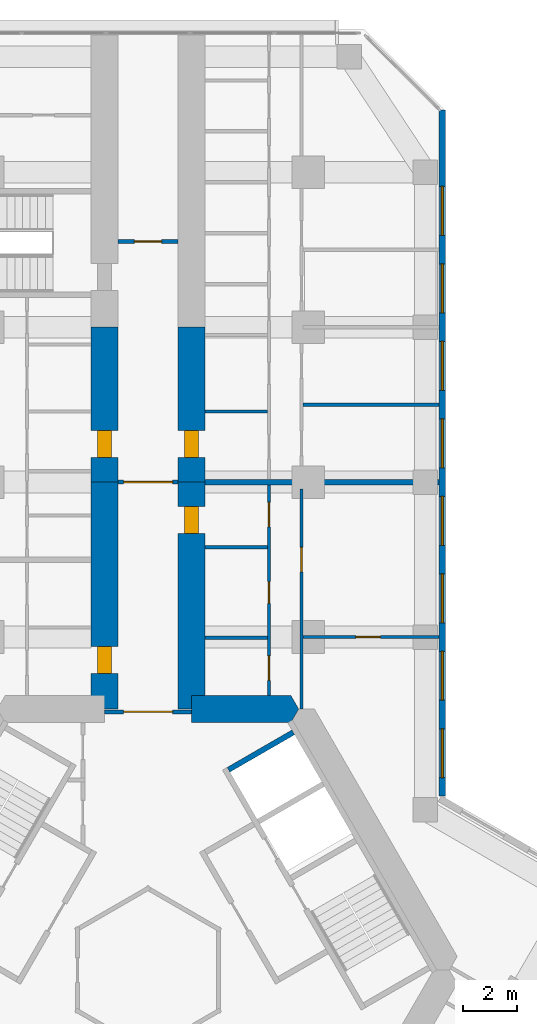
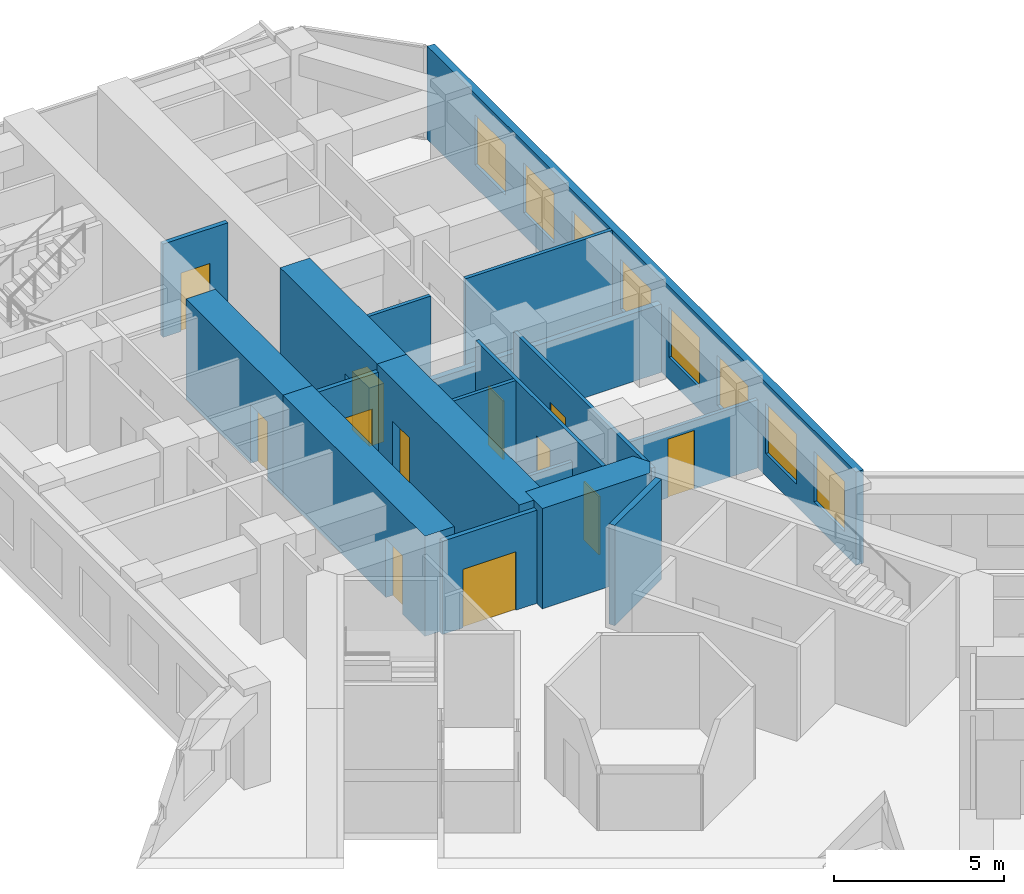
# One storey, part 18 of 21: 18 walls, 12 doors, 8 windows, 20 openings.
"""IFC4 building model written with IfcOpenShell, lengths in metres."""

from ifc_helpers import new_model, si_unit, direction, frame, frame_2d, origin, place, context, subcontext, project, spatial, polyline, rectangle, outline, extrude, material, layer, layer_set, type_object, element, fill, save


model = new_model("IFC4")

# Units and contexts
model_context = context("Model", 3, precision=1e-05, world=origin(), true_north=direction((0.0, 1.0)))
body_context = subcontext(model_context, "Body", "Model", "MODEL_VIEW")
ifc_project = project(units=[si_unit("LENGTHUNIT", "METRE"), si_unit("AREAUNIT", "SQUARE_METRE"), si_unit("VOLUMEUNIT", "CUBIC_METRE"), si_unit("PLANEANGLEUNIT", "RADIAN"), si_unit("MASSUNIT", "GRAM", prefix="KILO")], contexts=[model_context])

# Site, building, storey
site_placement = place(None, origin())
site = spatial("IfcSite", under=ifc_project, at=site_placement, CompositionType="ELEMENT")
building_placement = place(site_placement, origin())
building = spatial("IfcBuilding", under=site, at=building_placement, Name="Kosmar Iwan School Tower", CompositionType="ELEMENT")
storey_placement = place(building_placement, frame((0.0, 0.0, 102.39990234375)))
storey = spatial("IfcBuildingStorey", under=building, at=storey_placement, Name="L25", CompositionType="ELEMENT", Elevation=102.39990234375)

# Wall
ifc_material_1 = material(Name="Concrete C50/60", Category="concrete")
ifc_layer_1 = layer(ifc_material_1, 1.0)
ifc_layer_set_1 = layer_set([ifc_layer_1], Name="Core wall 1000")
wall_type_1 = type_object("IfcWallType", Name="Core wall 1000", PredefinedType="SHEAR", material=ifc_layer_set_1)
wall_1_placement = place(storey_placement, origin())
element("IfcWall", 1, at=wall_1_placement, inside=storey, type_object=wall_type_1, Name="Core wall F090a", PredefinedType="SHEAR", context=body_context, shape_type="SweptSolid", body=[
    extrude(outline(polyline([(1.60009765625, 9.10009765625), (5.25390625, 9.10009765625), (5.54248046875, 9.60009765625), (5.25390625, 10.10009765625), (1.60009765625, 10.10009765625), (1.60009765625, 9.10009765625)])), origin(), (0.0, 0.0, 1.0), 3.60009765625),
])

# Wall, opening, door
ifc_material_2 = material(Name="Concrete C50/60", Category="concrete")
ifc_layer_2 = layer(ifc_material_2, 1.0)
ifc_layer_set_2 = layer_set([ifc_layer_2], Name="Corridor buttress wall 1000")
wall_type_2 = type_object("IfcWallType", Name="Corridor buttress wall 1000", PredefinedType="SHEAR", material=ifc_layer_set_2)
wall_2_placement = place(storey_placement, frame((-1.60009765625, 9.60009765625, 0.0), z_axis=(0.0, 0.0, 1.0), x_axis=(0.0, 1.0, 0.0)))
wall_2 = element("IfcWall", 2, at=wall_2_placement, inside=storey, type_object=wall_type_2, Name="Corridor wall AL", PredefinedType="SHEAR", context=body_context, shape_type="SweptSolid", body=[
    extrude(rectangle(XDim=8.349853515625, YDim=1.0, at=frame_2d((4.1748046875, 0.0))), origin(), (0.0, 0.0, 1.0), 3.60009765625),
])
opening_1_placement = place(wall_2_placement, frame((1.300048828125, 0.0, 0.0)))
opening_1 = element("IfcOpeningElement", 3, at=opening_1_placement, cuts=wall_2, Name="Opening D1", PredefinedType="OPENING", context=body_context, shape_type="SweptSolid", body=[
    extrude(rectangle(XDim=1.0, YDim=2.10009765625, at=frame_2d((0.5, 1.050048828125))), frame((0.0, 0.511962890625, 0.0), z_axis=(0.0, -1.0, 0.0), x_axis=(1.0, 0.0, 0.0)), (0.0, 0.0, 1.0), 1.02392578125),
])
ifc_material_3 = material(Name="Timber fire door in steel frame", Category="steel")
door_type_1 = type_object("IfcDoorType", Name="Flat entrance door 1000x2100", OperationType="SINGLE_SWING_LEFT", PredefinedType="DOOR", material=ifc_material_3)
door_1_placement = place(opening_1_placement, origin())
door_1 = element("IfcDoor", 4, at=door_1_placement, inside=storey, type_object=door_type_1, Name="Flat L25-AL1 entrance door", OperationType="SINGLE_SWING_RIGHT", OverallHeight=2.10009765625, OverallWidth=1.0, PredefinedType="DOOR", context=body_context, shape_type="SweptSolid", body=[
    extrude(rectangle(XDim=1.0, YDim=2.10009765625, at=frame_2d((0.5, 1.050048828125))), frame((0.0, 0.25, 0.0), z_axis=(0.0, -1.0, 0.0), x_axis=(1.0, 0.0, 0.0)), (0.0, 0.0, 1.0), 0.5),
])
fill(opening_1, door_1)

wall_3_placement = place(storey_placement, frame((-1.60009765625, 17.949951171875, 0.0), z_axis=(0.0, 0.0, 1.0), x_axis=(0.0, 1.0, 0.0)))
wall_3 = element("IfcWall", 5, at=wall_3_placement, inside=storey, type_object=wall_type_2, Name="Corridor wall AL bay 2", PredefinedType="SHEAR", context=body_context, shape_type="SweptSolid", body=[
    extrude(rectangle(XDim=5.699951171875, YDim=1.0, at=frame_2d((2.85009765625, 0.0))), origin(), (0.0, 0.0, 1.0), 3.60009765625),
])
opening_2_placement = place(wall_3_placement, frame((0.89990234375, 0.0, 0.0)))
opening_2 = element("IfcOpeningElement", 6, at=opening_2_placement, cuts=wall_3, Name="Opening D1", PredefinedType="OPENING", context=body_context, shape_type="SweptSolid", body=[
    extrude(rectangle(XDim=1.0, YDim=2.10009765625, at=frame_2d((0.5, 1.050048828125))), frame((0.0, 0.511962890625, 0.0), z_axis=(0.0, -1.0, 0.0), x_axis=(1.0, 0.0, 0.0)), (0.0, 0.0, 1.0), 1.02392578125),
])
door_2_placement = place(opening_2_placement, origin())
door_2 = element("IfcDoor", 7, at=door_2_placement, inside=storey, type_object=door_type_1, Name="Flat L25-AL2 entrance door", OperationType="SINGLE_SWING_LEFT", OverallHeight=2.10009765625, OverallWidth=1.0, PredefinedType="DOOR", context=body_context, shape_type="SweptSolid", body=[
    extrude(rectangle(XDim=1.0, YDim=2.10009765625, at=frame_2d((0.5, 1.050048828125))), frame((0.0, 0.25, 0.0), z_axis=(0.0, -1.0, 0.0), x_axis=(1.0, 0.0, 0.0)), (0.0, 0.0, 1.0), 0.5),
])
fill(opening_2, door_2)

wall_4_placement = place(storey_placement, frame((1.60009765625, 9.60009765625, 0.0), z_axis=(0.0, 0.0, 1.0), x_axis=(0.0, 1.0, 0.0)))
wall_4 = element("IfcWall", 8, at=wall_4_placement, inside=storey, type_object=wall_type_2, Name="Corridor wall AR", PredefinedType="SHEAR", context=body_context, shape_type="SweptSolid", body=[
    extrude(rectangle(XDim=8.349853515625, YDim=1.0, at=frame_2d((4.1748046875, 0.0))), origin(), (0.0, 0.0, 1.0), 3.60009765625),
])
opening_3_placement = place(wall_4_placement, frame((6.449951171875, 0.0, 0.0)))
opening_3 = element("IfcOpeningElement", 9, at=opening_3_placement, cuts=wall_4, Name="Opening D1", PredefinedType="OPENING", context=body_context, shape_type="SweptSolid", body=[
    extrude(rectangle(XDim=1.0, YDim=2.10009765625, at=frame_2d((0.5, 1.050048828125))), frame((0.0, 0.511962890625, 0.0), z_axis=(0.0, -1.0, 0.0), x_axis=(1.0, 0.0, 0.0)), (0.0, 0.0, 1.0), 1.02392578125),
])
door_3_placement = place(opening_3_placement, origin())
door_3 = element("IfcDoor", 10, at=door_3_placement, inside=storey, type_object=door_type_1, Name="Flat L25-AR1 entrance door", OperationType="SINGLE_SWING_RIGHT", OverallHeight=2.10009765625, OverallWidth=1.0, PredefinedType="DOOR", context=body_context, shape_type="SweptSolid", body=[
    extrude(rectangle(XDim=1.0, YDim=2.10009765625, at=frame_2d((0.5, 1.050048828125))), frame((0.0, 0.25, 0.0), z_axis=(0.0, -1.0, 0.0), x_axis=(1.0, 0.0, 0.0)), (0.0, 0.0, 1.0), 0.5),
])
fill(opening_3, door_3)

wall_5_placement = place(storey_placement, frame((1.60009765625, 17.949951171875, 0.0), z_axis=(0.0, 0.0, 1.0), x_axis=(0.0, 1.0, 0.0)))
wall_5 = element("IfcWall", 11, at=wall_5_placement, inside=storey, type_object=wall_type_2, Name="Corridor wall AR bay 2", PredefinedType="SHEAR", context=body_context, shape_type="SweptSolid", body=[
    extrude(rectangle(XDim=5.699951171875, YDim=1.0, at=frame_2d((2.85009765625, 0.0))), origin(), (0.0, 0.0, 1.0), 3.60009765625),
])
opening_4_placement = place(wall_5_placement, frame((0.89990234375, 0.0, 0.0)))
opening_4 = element("IfcOpeningElement", 12, at=opening_4_placement, cuts=wall_5, Name="Opening D1", PredefinedType="OPENING", context=body_context, shape_type="SweptSolid", body=[
    extrude(rectangle(XDim=1.0, YDim=2.10009765625, at=frame_2d((0.5, 1.050048828125))), frame((0.0, 0.511962890625, 0.0), z_axis=(0.0, -1.0, 0.0), x_axis=(1.0, 0.0, 0.0)), (0.0, 0.0, 1.0), 1.02392578125),
])
door_4_placement = place(opening_4_placement, origin())
door_4 = element("IfcDoor", 13, at=door_4_placement, inside=storey, type_object=door_type_1, Name="Flat L25-AR2 entrance door", OperationType="SINGLE_SWING_LEFT", OverallHeight=2.10009765625, OverallWidth=1.0, PredefinedType="DOOR", context=body_context, shape_type="SweptSolid", body=[
    extrude(rectangle(XDim=1.0, YDim=2.10009765625, at=frame_2d((0.5, 1.050048828125))), frame((0.0, 0.25, 0.0), z_axis=(0.0, -1.0, 0.0), x_axis=(1.0, 0.0, 0.0)), (0.0, 0.0, 1.0), 0.5),
])
fill(opening_4, door_4)

ifc_material_4 = material(Name="Gypsum board on steel studs, fire-rated", Category="steel")
ifc_layer_3 = layer(ifc_material_4, 0.14990234375)
ifc_layer_set_3 = layer_set([ifc_layer_3], Name="Corridor end wall 150")
wall_type_3 = type_object("IfcWallType", Name="Corridor end wall 150", PredefinedType="PARTITIONING", material=ifc_layer_set_3)
wall_6_placement = place(storey_placement, frame((1.10009765625, 26.800048828125, 0.0), z_axis=(0.0, 0.0, 1.0), x_axis=(-1.0, 0.0, 0.0)))
wall_6 = element("IfcWall", 14, at=wall_6_placement, inside=storey, type_object=wall_type_3, Name="Partition L25-A-CE", PredefinedType="PARTITIONING", context=body_context, shape_type="SweptSolid", body=[
    extrude(rectangle(XDim=2.2001953125, YDim=0.14990234375, at=frame_2d((1.10009765625, 0.0))), origin(), (0.0, 0.0, 1.0), 3.35009765625),
])
opening_5_placement = place(wall_6_placement, frame((0.60009765625, 0.0, 0.0)))
opening_5 = element("IfcOpeningElement", 15, at=opening_5_placement, cuts=wall_6, Name="Opening D13", PredefinedType="OPENING", context=body_context, shape_type="SweptSolid", body=[
    extrude(rectangle(XDim=1.0, YDim=2.10009765625, at=frame_2d((0.5, 1.050048828125))), frame((0.0, 0.0869140625, 0.0), z_axis=(0.0, -1.0, 0.0), x_axis=(1.0, 0.0, 0.0)), (0.0, 0.0, 1.0), 0.173828125),
])
ifc_material_5 = material(Name="Timber fire door with vision panel", Category="wood")
door_type_2 = type_object("IfcDoorType", Name="Corridor end door 1000x2100", OperationType="SINGLE_SWING_LEFT", PredefinedType="DOOR", material=ifc_material_5)
door_5_placement = place(opening_5_placement, origin())
door_5 = element("IfcDoor", 16, at=door_5_placement, inside=storey, type_object=door_type_2, Name="Laundry and drying room door L25-A", OperationType="SINGLE_SWING_RIGHT", OverallHeight=2.10009765625, OverallWidth=1.0, PredefinedType="DOOR", context=body_context, shape_type="SweptSolid", body=[
    extrude(rectangle(XDim=1.0, YDim=2.10009765625, at=frame_2d((0.5, 1.050048828125))), frame((0.0, 0.02490234375, 0.0), z_axis=(0.0, -1.0, 0.0), x_axis=(1.0, 0.0, 0.0)), (0.0, 0.0, 1.0), 0.050048828125),
])
fill(opening_5, door_5)

wall_7_placement = place(storey_placement, frame((1.10009765625, 17.949951171875, 0.0), z_axis=(0.0, 0.0, 1.0), x_axis=(-1.0, 0.0, 0.0)))
wall_7 = element("IfcWall", 17, at=wall_7_placement, inside=storey, type_object=wall_type_3, Name="Partition L25-A-HW", PredefinedType="PARTITIONING", context=body_context, shape_type="SweptSolid", body=[
    extrude(rectangle(XDim=2.2001953125, YDim=0.14990234375, at=frame_2d((1.10009765625, 0.0))), origin(), (0.0, 0.0, 1.0), 3.35009765625),
])
opening_6_placement = place(wall_7_placement, frame((0.199951171875, 0.0, 0.0)))
opening_6 = element("IfcOpeningElement", 18, at=opening_6_placement, cuts=wall_7, Name="Opening D9", PredefinedType="OPENING", context=body_context, shape_type="SweptSolid", body=[
    extrude(rectangle(XDim=1.800048828125, YDim=2.10009765625, at=frame_2d((0.89990234375, 1.050048828125))), frame((0.0, 0.0869140625, 0.0), z_axis=(0.0, -1.0, 0.0), x_axis=(1.0, 0.0, 0.0)), (0.0, 0.0, 1.0), 0.173828125),
])
ifc_material_6 = material(Name="Steel framed glazed smoke door", Category="steel")
door_type_3 = type_object("IfcDoorType", Name="Corridor smoke door pair 1800x2100", OperationType="DOUBLE_DOOR_DOUBLE_SWING", PredefinedType="DOOR", material=ifc_material_6)
door_6_placement = place(opening_6_placement, origin())
door_6 = element("IfcDoor", 19, at=door_6_placement, inside=storey, type_object=door_type_3, Name="Entrance vestibule smoke doors L25-A", OperationType="DOUBLE_DOOR_DOUBLE_SWING", OverallHeight=2.10009765625, OverallWidth=1.800048828125, PredefinedType="DOOR", context=body_context, shape_type="SweptSolid", body=[
    extrude(rectangle(XDim=1.800048828125, YDim=2.10009765625, at=frame_2d((0.89990234375, 1.050048828125))), frame((0.0, 0.02490234375, 0.0), z_axis=(0.0, -1.0, 0.0), x_axis=(1.0, 0.0, 0.0)), (0.0, 0.0, 1.0), 0.050048828125),
])
fill(opening_6, door_6)

ifc_material_7 = material(Name="Steel framed glazed screen", Category="steel")
ifc_layer_4 = layer(ifc_material_7, 0.14990234375)
ifc_layer_set_4 = layer_set([ifc_layer_4], Name="Corridor screen wall 150")
wall_type_4 = type_object("IfcWallType", Name="Corridor screen wall 150", PredefinedType="PARTITIONING", material=ifc_layer_set_4)
wall_8_placement = place(storey_placement, frame((1.60009765625, 9.5, 0.0), z_axis=(0.0, 0.0, 1.0), x_axis=(-1.0, 0.0, 0.0)))
wall_8 = element("IfcWall", 20, at=wall_8_placement, inside=storey, type_object=wall_type_4, Name="Corridor screen A L25", PredefinedType="PARTITIONING", context=body_context, shape_type="SweptSolid", body=[
    extrude(rectangle(XDim=3.2001953125, YDim=0.14990234375, at=frame_2d((1.60009765625, 0.0))), origin(), (0.0, 0.0, 1.0), 3.35009765625),
])
opening_7_placement = place(wall_8_placement, frame((0.699951171875, 0.0, 0.0)))
opening_7 = element("IfcOpeningElement", 21, at=opening_7_placement, cuts=wall_8, Name="Opening D9", PredefinedType="OPENING", context=body_context, shape_type="SweptSolid", body=[
    extrude(rectangle(XDim=1.800048828125, YDim=2.10009765625, at=frame_2d((0.89990234375, 1.050048828125))), frame((0.0, 0.0869140625, 0.0), z_axis=(0.0, -1.0, 0.0), x_axis=(1.0, 0.0, 0.0)), (0.0, 0.0, 1.0), 0.173828125),
])
door_7_placement = place(opening_7_placement, origin())
door_7 = element("IfcDoor", 22, at=door_7_placement, inside=storey, type_object=door_type_3, Name="Corridor doors A L25", OperationType="DOUBLE_DOOR_DOUBLE_SWING", OverallHeight=2.10009765625, OverallWidth=1.800048828125, PredefinedType="DOOR", context=body_context, shape_type="SweptSolid", body=[
    extrude(rectangle(XDim=1.800048828125, YDim=2.10009765625, at=frame_2d((0.89990234375, 1.050048828125))), frame((0.0, 0.02490234375, 0.0), z_axis=(0.0, -1.0, 0.0), x_axis=(1.0, 0.0, 0.0)), (0.0, 0.0, 1.0), 0.050048828125),
])
fill(opening_7, door_7)

# Wall, openings, doors
ifc_material_8 = material(Name="Gypsum board on steel studs", Category="steel")
ifc_layer_5 = layer(ifc_material_8, 0.1201171875)
ifc_layer_set_5 = layer_set([ifc_layer_5], Name="Dwelling partition 120")
wall_type_5 = type_object("IfcWallType", Name="Dwelling partition 120", PredefinedType="PARTITIONING", material=ifc_layer_set_5)
wall_9_placement = place(storey_placement, frame((4.449951171875, 10.10009765625, 0.0), z_axis=(0.0, 0.0, 1.0), x_axis=(0.0, 1.0, 0.0)))
wall_9 = element("IfcWall", 23, at=wall_9_placement, inside=storey, type_object=wall_type_5, Name="Partition L25-AR1-W1", PredefinedType="PARTITIONING", context=body_context, shape_type="SweptSolid", body=[
    extrude(rectangle(XDim=7.75, YDim=0.1201171875, at=frame_2d((3.875, 0.0))), origin(), (0.0, 0.0, 1.0), 3.35009765625),
])
opening_8_placement = place(wall_9_placement, frame((0.56005859375, 0.0, 0.0)))
opening_8 = element("IfcOpeningElement", 24, at=opening_8_placement, cuts=wall_9, Name="Opening D2", PredefinedType="OPENING", context=body_context, shape_type="SweptSolid", body=[
    extrude(rectangle(XDim=0.89990234375, YDim=2.10009765625, at=frame_2d((0.449951171875, 1.050048828125))), frame((0.0, 0.072021484375, 0.0), z_axis=(0.0, -1.0, 0.0), x_axis=(1.0, 0.0, 0.0)), (0.0, 0.0, 1.0), 0.14404296875),
])
opening_9_placement = place(wall_9_placement, frame((3.385009765625, 0.0, 0.0)))
opening_9 = element("IfcOpeningElement", 25, at=opening_9_placement, cuts=wall_9, Name="Opening D3", PredefinedType="OPENING", context=body_context, shape_type="SweptSolid", body=[
    extrude(rectangle(XDim=0.800048828125, YDim=2.10009765625, at=frame_2d((0.39990234375, 1.050048828125))), frame((0.0, 0.072021484375, 0.0), z_axis=(0.0, -1.0, 0.0), x_axis=(1.0, 0.0, 0.0)), (0.0, 0.0, 1.0), 0.14404296875),
])
opening_10_placement = place(wall_9_placement, frame((6.199951171875, 0.0, 0.0)))
opening_10 = element("IfcOpeningElement", 26, at=opening_10_placement, cuts=wall_9, Name="Opening D2", PredefinedType="OPENING", context=body_context, shape_type="SweptSolid", body=[
    extrude(rectangle(XDim=0.89990234375, YDim=2.10009765625, at=frame_2d((0.449951171875, 1.050048828125))), frame((0.0, 0.072021484375, 0.0), z_axis=(0.0, -1.0, 0.0), x_axis=(1.0, 0.0, 0.0)), (0.0, 0.0, 1.0), 0.14404296875),
])
ifc_material_9 = material(Name="Timber door in timber frame", Category="wood")
door_type_4 = type_object("IfcDoorType", Name="Internal door 900x2100", OperationType="SINGLE_SWING_LEFT", PredefinedType="DOOR", material=ifc_material_9)
door_8_placement = place(opening_8_placement, origin())
door_8 = element("IfcDoor", 27, at=door_8_placement, inside=storey, type_object=door_type_4, Name="Pantry door L25-AR1-S1", OperationType="SINGLE_SWING_RIGHT", OverallHeight=2.10009765625, OverallWidth=0.89990234375, PredefinedType="DOOR", context=body_context, shape_type="SweptSolid", body=[
    extrude(rectangle(XDim=0.89990234375, YDim=2.10009765625, at=frame_2d((0.449951171875, 1.050048828125))), frame((0.0, 0.02490234375, 0.0), z_axis=(0.0, -1.0, 0.0), x_axis=(1.0, 0.0, 0.0)), (0.0, 0.0, 1.0), 0.050048828125),
])
fill(opening_8, door_8)
door_9_placement = place(opening_10_placement, origin())
door_9 = element("IfcDoor", 28, at=door_9_placement, inside=storey, type_object=door_type_4, Name="Entrance hall door L25-AR1-S3", OperationType="SINGLE_SWING_RIGHT", OverallHeight=2.10009765625, OverallWidth=0.89990234375, PredefinedType="DOOR", context=body_context, shape_type="SweptSolid", body=[
    extrude(rectangle(XDim=0.89990234375, YDim=2.10009765625, at=frame_2d((0.449951171875, 1.050048828125))), frame((0.0, 0.02490234375, 0.0), z_axis=(0.0, -1.0, 0.0), x_axis=(1.0, 0.0, 0.0)), (0.0, 0.0, 1.0), 0.050048828125),
])
fill(opening_10, door_9)
ifc_material_10 = material(Name="Timber door in timber frame", Category="wood")
door_type_5 = type_object("IfcDoorType", Name="Sanitary room door 800x2100", OperationType="SINGLE_SWING_LEFT", PredefinedType="DOOR", material=ifc_material_10)
door_10_placement = place(opening_9_placement, origin())
door_10 = element("IfcDoor", 29, at=door_10_placement, inside=storey, type_object=door_type_5, Name="Bathroom door L25-AR1-S2", OperationType="SINGLE_SWING_LEFT", OverallHeight=2.10009765625, OverallWidth=0.800048828125, PredefinedType="DOOR", context=body_context, shape_type="SweptSolid", body=[
    extrude(rectangle(XDim=0.800048828125, YDim=2.10009765625, at=frame_2d((0.39990234375, 1.050048828125))), frame((0.0, 0.02490234375, 0.0), z_axis=(0.0, -1.0, 0.0), x_axis=(1.0, 0.0, 0.0)), (0.0, 0.0, 1.0), 0.050048828125),
])
fill(opening_9, door_10)

# Wall, opening, door
wall_10_placement = place(storey_placement, frame((5.64990234375, 9.60009765625, 0.0), z_axis=(0.0, 0.0, 1.0), x_axis=(0.0, 1.0, 0.0)))
wall_10 = element("IfcWall", 30, at=wall_10_placement, inside=storey, type_object=wall_type_5, Name="Partition L25-AR1-W2", PredefinedType="PARTITIONING", context=body_context, shape_type="SweptSolid", body=[
    extrude(rectangle(XDim=8.099853515625, YDim=0.1201171875, at=frame_2d((4.0498046875, 0.0))), origin(), (0.0, 0.0, 1.0), 3.35009765625),
])
opening_11_placement = place(wall_10_placement, frame((5.050048828125, 0.0, 0.0)))
opening_11 = element("IfcOpeningElement", 31, at=opening_11_placement, cuts=wall_10, Name="Opening D2", PredefinedType="OPENING", context=body_context, shape_type="SweptSolid", body=[
    extrude(rectangle(XDim=0.89990234375, YDim=2.10009765625, at=frame_2d((0.449951171875, 1.050048828125))), frame((0.0, 0.072021484375, 0.0), z_axis=(0.0, -1.0, 0.0), x_axis=(1.0, 0.0, 0.0)), (0.0, 0.0, 1.0), 0.14404296875),
])
door_11_placement = place(opening_11_placement, origin())
door_11 = element("IfcDoor", 32, at=door_11_placement, inside=storey, type_object=door_type_4, Name="Studio living room door L25-AR1-F2", OperationType="SINGLE_SWING_RIGHT", OverallHeight=2.10009765625, OverallWidth=0.89990234375, PredefinedType="DOOR", context=body_context, shape_type="SweptSolid", body=[
    extrude(rectangle(XDim=0.89990234375, YDim=2.10009765625, at=frame_2d((0.449951171875, 1.050048828125))), frame((0.0, 0.02490234375, 0.0), z_axis=(0.0, -1.0, 0.0), x_axis=(1.0, 0.0, 0.0)), (0.0, 0.0, 1.0), 0.050048828125),
])
fill(opening_11, door_11)

wall_11_placement = place(storey_placement, frame((5.7099609375, 12.25, 0.0), z_axis=(0.0, 0.0, 1.0), x_axis=(1.0, 0.0, 0.0)))
wall_11 = element("IfcWall", 33, at=wall_11_placement, inside=storey, type_object=wall_type_5, Name="Partition L25-AR1-X1", PredefinedType="PARTITIONING", context=body_context, shape_type="SweptSolid", body=[
    extrude(rectangle(XDim=4.989990234375, YDim=0.1201171875, at=frame_2d((2.4951171875, 0.0))), origin(), (0.0, 0.0, 1.0), 2.4501953125),
])
opening_12_placement = place(wall_11_placement, frame((1.93994140625, 0.0, 0.0)))
opening_12 = element("IfcOpeningElement", 34, at=opening_12_placement, cuts=wall_11, Name="Opening D2", PredefinedType="OPENING", context=body_context, shape_type="SweptSolid", body=[
    extrude(rectangle(XDim=0.89990234375, YDim=2.10009765625, at=frame_2d((0.449951171875, 1.050048828125))), frame((0.0, 0.072021484375, 0.0), z_axis=(0.0, -1.0, 0.0), x_axis=(1.0, 0.0, 0.0)), (0.0, 0.0, 1.0), 0.14404296875),
])
door_12_placement = place(opening_12_placement, origin())
door_12 = element("IfcDoor", 35, at=door_12_placement, inside=storey, type_object=door_type_4, Name="Kitchen and dining room door L25-AR1-F1", OperationType="SINGLE_SWING_LEFT", OverallHeight=2.10009765625, OverallWidth=0.89990234375, PredefinedType="DOOR", context=body_context, shape_type="SweptSolid", body=[
    extrude(rectangle(XDim=0.89990234375, YDim=2.10009765625, at=frame_2d((0.449951171875, 1.050048828125))), frame((0.0, 0.02490234375, 0.0), z_axis=(0.0, -1.0, 0.0), x_axis=(1.0, 0.0, 0.0)), (0.0, 0.0, 1.0), 0.050048828125),
])
fill(opening_12, door_12)

# Walls
wall_12_placement = place(storey_placement, frame((2.10009765625, 12.219970703125, 0.0), z_axis=(0.0, 0.0, 1.0), x_axis=(1.0, 0.0, 0.0)))
element("IfcWall", 36, at=wall_12_placement, inside=storey, type_object=wall_type_5, Name="Partition L25-AR1-Y1", PredefinedType="PARTITIONING", context=body_context, shape_type="SweptSolid", body=[
    extrude(rectangle(XDim=2.289794921875, YDim=0.1201171875, at=frame_2d((1.14501953125, 0.0))), origin(), (0.0, 0.0, 1.0), 2.4501953125),
])
wall_13_placement = place(storey_placement, frame((2.10009765625, 15.550048828125, 0.0), z_axis=(0.0, 0.0, 1.0), x_axis=(1.0, 0.0, 0.0)))
element("IfcWall", 37, at=wall_13_placement, inside=storey, type_object=wall_type_5, Name="Partition L25-AR1-Y2", PredefinedType="PARTITIONING", context=body_context, shape_type="SweptSolid", body=[
    extrude(rectangle(XDim=2.289794921875, YDim=0.1201171875, at=frame_2d((1.14501953125, 0.0))), origin(), (0.0, 0.0, 1.0), 3.35009765625),
])
wall_14_placement = place(storey_placement, frame((5.7099609375, 20.800048828125, 0.0), z_axis=(0.0, 0.0, 1.0), x_axis=(1.0, 0.0, 0.0)))
element("IfcWall", 38, at=wall_14_placement, inside=storey, type_object=wall_type_5, Name="Partition L25-AR2-X1", PredefinedType="PARTITIONING", context=body_context, shape_type="SweptSolid", body=[
    extrude(rectangle(XDim=4.989990234375, YDim=0.1201171875, at=frame_2d((2.4951171875, 0.0))), origin(), (0.0, 0.0, 1.0), 3.35009765625),
])
wall_15_placement = place(storey_placement, frame((2.10009765625, 20.550048828125, 0.0), z_axis=(0.0, 0.0, 1.0), x_axis=(1.0, 0.0, 0.0)))
element("IfcWall", 39, at=wall_15_placement, inside=storey, type_object=wall_type_5, Name="Partition L25-AR2-Y1", PredefinedType="PARTITIONING", context=body_context, shape_type="SweptSolid", body=[
    extrude(rectangle(XDim=2.289794921875, YDim=0.1201171875, at=frame_2d((1.14501953125, 0.0))), origin(), (0.0, 0.0, 1.0), 3.35009765625),
])

# Wall, openings, windows
ifc_material_11 = material(Name="Black aluminium rainscreen on insulated framing", Category="aluminium")
ifc_layer_6 = layer(ifc_material_11, 0.25)
ifc_layer_set_6 = layer_set([ifc_layer_6], Name="External wall rainscreen 250")
wall_type_6 = type_object("IfcWallType", Name="External wall rainscreen 250", PredefinedType="SOLIDWALL", material=ifc_layer_set_6)
wall_16_placement = place(storey_placement, frame((10.824951171875, 6.408935546875, 0.0), z_axis=(0.0, 0.0, 1.0), x_axis=(0.0, 1.0, 0.0)))
wall_16 = element("IfcWall", 40, at=wall_16_placement, inside=storey, type_object=wall_type_6, Name="External wall AR L25", PredefinedType="SOLIDWALL", context=body_context, shape_type="SweptSolid", body=[
    extrude(rectangle(XDim=25.226318359375, YDim=0.25, at=frame_2d((12.61328125, 0.0))), origin(), (0.0, 0.0, 1.0), 3.35009765625),
])
opening_13_placement = place(wall_16_placement, frame((0.666015625, 0.0, 0.800048828125)))
opening_13 = element("IfcOpeningElement", 41, at=opening_13_placement, cuts=wall_16, Name="Opening W1", PredefinedType="OPENING", context=body_context, shape_type="SweptSolid", body=[
    extrude(rectangle(XDim=1.800048828125, YDim=1.800048828125, at=frame_2d((0.89990234375, 0.89990234375))), frame((0.0, 0.136962890625, 0.0), z_axis=(0.0, -1.0, 0.0), x_axis=(1.0, 0.0, 0.0)), (0.0, 0.0, 1.0), 0.27392578125),
])
opening_14_placement = place(wall_16_placement, frame((3.51611328125, 0.0, 0.800048828125)))
opening_14 = element("IfcOpeningElement", 42, at=opening_14_placement, cuts=wall_16, Name="Opening W1", PredefinedType="OPENING", context=body_context, shape_type="SweptSolid", body=[
    extrude(rectangle(XDim=1.800048828125, YDim=1.800048828125, at=frame_2d((0.89990234375, 0.89990234375))), frame((0.0, 0.136962890625, 0.0), z_axis=(0.0, -1.0, 0.0), x_axis=(1.0, 0.0, 0.0)), (0.0, 0.0, 1.0), 0.27392578125),
])
opening_15_placement = place(wall_16_placement, frame((6.365966796875, 0.0, 0.800048828125)))
opening_15 = element("IfcOpeningElement", 43, at=opening_15_placement, cuts=wall_16, Name="Opening W1", PredefinedType="OPENING", context=body_context, shape_type="SweptSolid", body=[
    extrude(rectangle(XDim=1.800048828125, YDim=1.800048828125, at=frame_2d((0.89990234375, 0.89990234375))), frame((0.0, 0.136962890625, 0.0), z_axis=(0.0, -1.0, 0.0), x_axis=(1.0, 0.0, 0.0)), (0.0, 0.0, 1.0), 0.27392578125),
])
opening_16_placement = place(wall_16_placement, frame((9.216064453125, 0.0, 0.800048828125)))
opening_16 = element("IfcOpeningElement", 44, at=opening_16_placement, cuts=wall_16, Name="Opening W1", PredefinedType="OPENING", context=body_context, shape_type="SweptSolid", body=[
    extrude(rectangle(XDim=1.800048828125, YDim=1.800048828125, at=frame_2d((0.89990234375, 0.89990234375))), frame((0.0, 0.136962890625, 0.0), z_axis=(0.0, -1.0, 0.0), x_axis=(1.0, 0.0, 0.0)), (0.0, 0.0, 1.0), 0.27392578125),
])
opening_17_placement = place(wall_16_placement, frame((12.06591796875, 0.0, 0.800048828125)))
opening_17 = element("IfcOpeningElement", 45, at=opening_17_placement, cuts=wall_16, Name="Opening W1", PredefinedType="OPENING", context=body_context, shape_type="SweptSolid", body=[
    extrude(rectangle(XDim=1.800048828125, YDim=1.800048828125, at=frame_2d((0.89990234375, 0.89990234375))), frame((0.0, 0.136962890625, 0.0), z_axis=(0.0, -1.0, 0.0), x_axis=(1.0, 0.0, 0.0)), (0.0, 0.0, 1.0), 0.27392578125),
])
opening_18_placement = place(wall_16_placement, frame((14.916015625, 0.0, 0.800048828125)))
opening_18 = element("IfcOpeningElement", 46, at=opening_18_placement, cuts=wall_16, Name="Opening W1", PredefinedType="OPENING", context=body_context, shape_type="SweptSolid", body=[
    extrude(rectangle(XDim=1.800048828125, YDim=1.800048828125, at=frame_2d((0.89990234375, 0.89990234375))), frame((0.0, 0.136962890625, 0.0), z_axis=(0.0, -1.0, 0.0), x_axis=(1.0, 0.0, 0.0)), (0.0, 0.0, 1.0), 0.27392578125),
])
opening_19_placement = place(wall_16_placement, frame((17.76611328125, 0.0, 0.800048828125)))
opening_19 = element("IfcOpeningElement", 47, at=opening_19_placement, cuts=wall_16, Name="Opening W1", PredefinedType="OPENING", context=body_context, shape_type="SweptSolid", body=[
    extrude(rectangle(XDim=1.800048828125, YDim=1.800048828125, at=frame_2d((0.89990234375, 0.89990234375))), frame((0.0, 0.136962890625, 0.0), z_axis=(0.0, -1.0, 0.0), x_axis=(1.0, 0.0, 0.0)), (0.0, 0.0, 1.0), 0.27392578125),
])
opening_20_placement = place(wall_16_placement, frame((20.615966796875, 0.0, 0.800048828125)))
opening_20 = element("IfcOpeningElement", 48, at=opening_20_placement, cuts=wall_16, Name="Opening W1", PredefinedType="OPENING", context=body_context, shape_type="SweptSolid", body=[
    extrude(rectangle(XDim=1.800048828125, YDim=1.800048828125, at=frame_2d((0.89990234375, 0.89990234375))), frame((0.0, 0.136962890625, 0.0), z_axis=(0.0, -1.0, 0.0), x_axis=(1.0, 0.0, 0.0)), (0.0, 0.0, 1.0), 0.27392578125),
])
ifc_material_12 = material(Name="Black aluminium frame with dark triple glazing", Category="aluminium")
window_type = type_object("IfcWindowType", Name="Window 1800x1800", PartitioningType="SINGLE_PANEL", PredefinedType="WINDOW", material=ifc_material_12)
window_1_placement = place(opening_13_placement, origin())
window_1 = element("IfcWindow", 49, at=window_1_placement, inside=storey, type_object=window_type, Name="Window AR L25 -1", OverallHeight=1.800048828125, OverallWidth=1.800048828125, PartitioningType="SINGLE_PANEL", PredefinedType="WINDOW", context=body_context, shape_type="SweptSolid", body=[
    extrude(rectangle(XDim=1.800048828125, YDim=1.800048828125, at=frame_2d((0.89990234375, 0.89990234375))), frame((0.0, 0.030029296875, 0.0), z_axis=(0.0, -1.0, 0.0), x_axis=(1.0, 0.0, 0.0)), (0.0, 0.0, 1.0), 0.06005859375),
])
fill(opening_13, window_1)
window_2_placement = place(opening_14_placement, origin())
window_2 = element("IfcWindow", 50, at=window_2_placement, inside=storey, type_object=window_type, Name="Window AR L25 0", OverallHeight=1.800048828125, OverallWidth=1.800048828125, PartitioningType="SINGLE_PANEL", PredefinedType="WINDOW", context=body_context, shape_type="SweptSolid", body=[
    extrude(rectangle(XDim=1.800048828125, YDim=1.800048828125, at=frame_2d((0.89990234375, 0.89990234375))), frame((0.0, 0.030029296875, 0.0), z_axis=(0.0, -1.0, 0.0), x_axis=(1.0, 0.0, 0.0)), (0.0, 0.0, 1.0), 0.06005859375),
])
fill(opening_14, window_2)
window_3_placement = place(opening_15_placement, origin())
window_3 = element("IfcWindow", 51, at=window_3_placement, inside=storey, type_object=window_type, Name="Window AR L25 1", OverallHeight=1.800048828125, OverallWidth=1.800048828125, PartitioningType="SINGLE_PANEL", PredefinedType="WINDOW", context=body_context, shape_type="SweptSolid", body=[
    extrude(rectangle(XDim=1.800048828125, YDim=1.800048828125, at=frame_2d((0.89990234375, 0.89990234375))), frame((0.0, 0.030029296875, 0.0), z_axis=(0.0, -1.0, 0.0), x_axis=(1.0, 0.0, 0.0)), (0.0, 0.0, 1.0), 0.06005859375),
])
fill(opening_15, window_3)
window_4_placement = place(opening_16_placement, origin())
window_4 = element("IfcWindow", 52, at=window_4_placement, inside=storey, type_object=window_type, Name="Window AR L25 2", OverallHeight=1.800048828125, OverallWidth=1.800048828125, PartitioningType="SINGLE_PANEL", PredefinedType="WINDOW", context=body_context, shape_type="SweptSolid", body=[
    extrude(rectangle(XDim=1.800048828125, YDim=1.800048828125, at=frame_2d((0.89990234375, 0.89990234375))), frame((0.0, 0.030029296875, 0.0), z_axis=(0.0, -1.0, 0.0), x_axis=(1.0, 0.0, 0.0)), (0.0, 0.0, 1.0), 0.06005859375),
])
fill(opening_16, window_4)
window_5_placement = place(opening_17_placement, origin())
window_5 = element("IfcWindow", 53, at=window_5_placement, inside=storey, type_object=window_type, Name="Window AR L25 3", OverallHeight=1.800048828125, OverallWidth=1.800048828125, PartitioningType="SINGLE_PANEL", PredefinedType="WINDOW", context=body_context, shape_type="SweptSolid", body=[
    extrude(rectangle(XDim=1.800048828125, YDim=1.800048828125, at=frame_2d((0.89990234375, 0.89990234375))), frame((0.0, 0.030029296875, 0.0), z_axis=(0.0, -1.0, 0.0), x_axis=(1.0, 0.0, 0.0)), (0.0, 0.0, 1.0), 0.06005859375),
])
fill(opening_17, window_5)
window_6_placement = place(opening_18_placement, origin())
window_6 = element("IfcWindow", 54, at=window_6_placement, inside=storey, type_object=window_type, Name="Window AR L25 4", OverallHeight=1.800048828125, OverallWidth=1.800048828125, PartitioningType="SINGLE_PANEL", PredefinedType="WINDOW", context=body_context, shape_type="SweptSolid", body=[
    extrude(rectangle(XDim=1.800048828125, YDim=1.800048828125, at=frame_2d((0.89990234375, 0.89990234375))), frame((0.0, 0.030029296875, 0.0), z_axis=(0.0, -1.0, 0.0), x_axis=(1.0, 0.0, 0.0)), (0.0, 0.0, 1.0), 0.06005859375),
])
fill(opening_18, window_6)
window_7_placement = place(opening_19_placement, origin())
window_7 = element("IfcWindow", 55, at=window_7_placement, inside=storey, type_object=window_type, Name="Window AR L25 5", OverallHeight=1.800048828125, OverallWidth=1.800048828125, PartitioningType="SINGLE_PANEL", PredefinedType="WINDOW", context=body_context, shape_type="SweptSolid", body=[
    extrude(rectangle(XDim=1.800048828125, YDim=1.800048828125, at=frame_2d((0.89990234375, 0.89990234375))), frame((0.0, 0.030029296875, 0.0), z_axis=(0.0, -1.0, 0.0), x_axis=(1.0, 0.0, 0.0)), (0.0, 0.0, 1.0), 0.06005859375),
])
fill(opening_19, window_7)
window_8_placement = place(opening_20_placement, origin())
window_8 = element("IfcWindow", 56, at=window_8_placement, inside=storey, type_object=window_type, Name="Window AR L25 6", OverallHeight=1.800048828125, OverallWidth=1.800048828125, PartitioningType="SINGLE_PANEL", PredefinedType="WINDOW", context=body_context, shape_type="SweptSolid", body=[
    extrude(rectangle(XDim=1.800048828125, YDim=1.800048828125, at=frame_2d((0.89990234375, 0.89990234375))), frame((0.0, 0.030029296875, 0.0), z_axis=(0.0, -1.0, 0.0), x_axis=(1.0, 0.0, 0.0)), (0.0, 0.0, 1.0), 0.06005859375),
])
fill(opening_20, window_8)

# Walls
ifc_material_13 = material(Name="Concrete C50/60", Category="concrete")
ifc_layer_7 = layer(ifc_material_13, 0.199951171875)
ifc_layer_set_7 = layer_set([ifc_layer_7], Name="Lift shaft wall 200")
wall_type_7 = type_object("IfcWallType", Name="Lift shaft wall 200", PredefinedType="SHEAR", material=ifc_layer_set_7)
wall_17_placement = place(storey_placement, frame((2.962646484375, 7.368408203125, 0.0), z_axis=(0.0, 0.0, 1.0), x_axis=(0.866027397988, 0.499996545922, 0.0)))
element("IfcWall", 57, at=wall_17_placement, inside=storey, type_object=wall_type_7, Name="Lift shaft wall AC 2", PredefinedType="SHEAR", context=body_context, shape_type="SweptSolid", body=[
    extrude(rectangle(XDim=2.75, YDim=0.199951171875, at=frame_2d((1.375, 0.0))), origin(), (0.0, 0.0, 1.0), 3.60009765625),
])
ifc_material_14 = material(Name="Concrete block masonry", Category="masonry")
ifc_layer_8 = layer(ifc_material_14, 0.199951171875)
ifc_layer_set_8 = layer_set([ifc_layer_8], Name="Party wall 200")
wall_type_8 = type_object("IfcWallType", Name="Party wall 200", PredefinedType="PARTITIONING", material=ifc_layer_set_8)
wall_18_placement = place(storey_placement, frame((2.10009765625, 17.949951171875, 0.0), z_axis=(0.0, 0.0, 1.0), x_axis=(1.0, 0.0, 0.0)))
element("IfcWall", 58, at=wall_18_placement, inside=storey, type_object=wall_type_8, Name="Partition L25-AR2-PW", PredefinedType="PARTITIONING", context=body_context, shape_type="SweptSolid", body=[
    extrude(rectangle(XDim=8.599853515625, YDim=0.199951171875, at=frame_2d((4.2998046875, 0.0))), origin(), (0.0, 0.0, 1.0), 2.4501953125),
])

save(model, "model.ifc")
